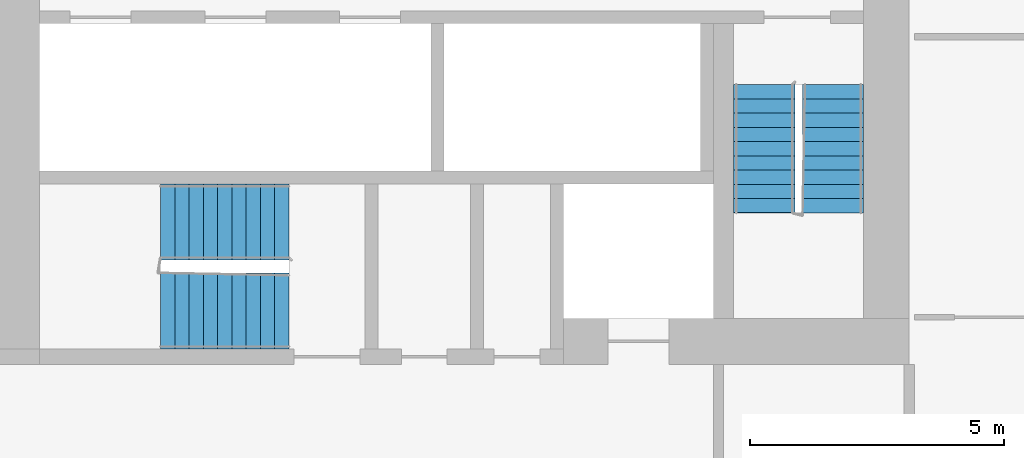
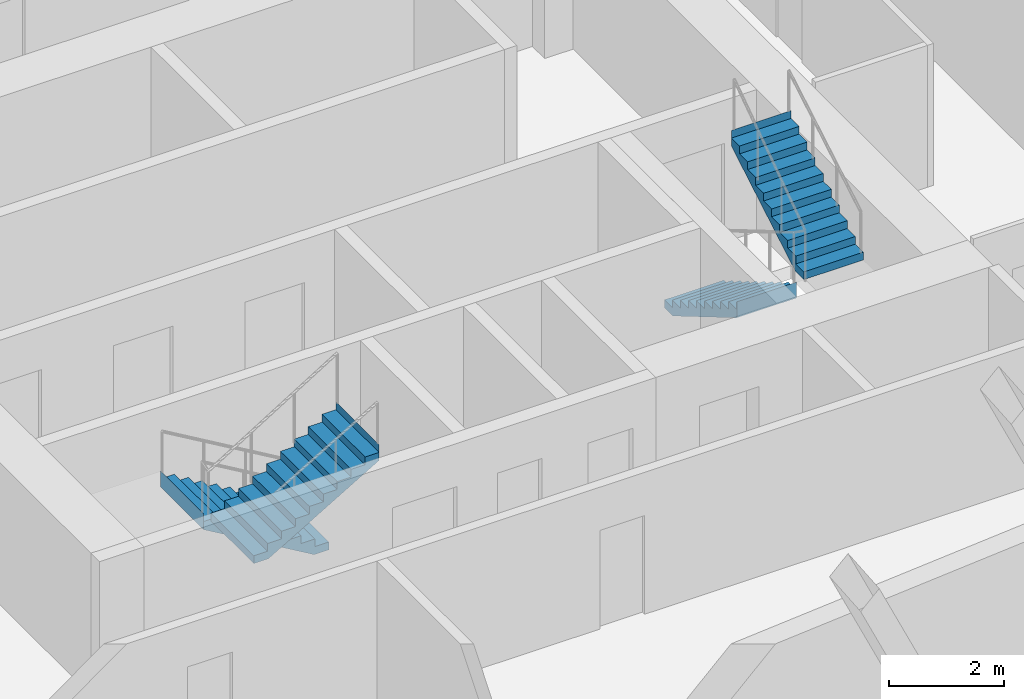
# One storey, part 9 of 13: 4 stair flights, 2 elements without a shape of their own.
"""IFC4 building model written with IfcOpenShell, lengths in metres."""

from ifc_helpers import new_model, si_unit, direction, frame, origin, place, context, subcontext, project, spatial, faceted_brep, material, type_object, element, aggregate, save


model = new_model("IFC4")

# Units and contexts
model_context = context("Model", 3, precision=1e-05, world=origin(), true_north=direction((0.0, 1.0)))
body_context = subcontext(model_context, "Body", "Model", "MODEL_VIEW")
ifc_project = project(units=[si_unit("LENGTHUNIT", "METRE"), si_unit("AREAUNIT", "SQUARE_METRE"), si_unit("VOLUMEUNIT", "CUBIC_METRE"), si_unit("PLANEANGLEUNIT", "RADIAN"), si_unit("MASSUNIT", "GRAM", prefix="KILO")], contexts=[model_context])

# Site, building, storey
site_placement = place(None, origin())
site = spatial("IfcSite", under=ifc_project, at=site_placement, CompositionType="ELEMENT")
building_placement = place(site_placement, origin())
building = spatial("IfcBuilding", under=site, at=building_placement, Name="Kajstack Hotel Tower", CompositionType="ELEMENT")
storey_placement = place(building_placement, frame((0.0, 0.0, 130.60009765625)))
storey = spatial("IfcBuildingStorey", under=building, at=storey_placement, Name="L29", CompositionType="ELEMENT", Elevation=130.60009765625)

# Stair, stair flights
ifc_material = material(Name="Concrete C40/50", Category="concrete")
stair_type_1 = type_object("IfcStairType", Name="Exit stair 1200", PredefinedType="HALF_TURN_STAIR", material=ifc_material)
stair_1_placement = place(storey_placement, origin())
stair_1 = element("IfcStair", 1, at=stair_1_placement, inside=storey, type_object=stair_type_1, Name="L29 stair W2", PredefinedType="HALF_TURN_STAIR")
stair_flight_type_1 = type_object("IfcStairFlightType", Name="Exit stair flight 1200", PredefinedType="STRAIGHT", material=ifc_material)
stair_flight_1_placement = place(storey_placement, frame((-16.35009765625, -10.0, 0.0), z_axis=(0.0, 0.0, 1.0), x_axis=(0.0, -1.0, 0.0)))
stair_flight_1 = element("IfcStairFlight", 2, at=stair_flight_1_placement, type_object=stair_flight_type_1, Name="W2 flight 1", NumberOfRisers=10, NumberOfTreads=9, PredefinedType="STRAIGHT", RiserHeight=0.165, TreadLength=0.28, context=body_context, shape_type="Brep", body=[
    faceted_brep([(0.295654296875, -0.60009765625, 0.0), (2.5205078125, -0.60009765625, 1.31103515625), (2.5205078125, -0.60009765625, 1.64990234375), (2.52001953125, -0.60009765625, 1.64990234375), (2.52001953125, -0.60009765625, 1.485107421875), (2.239990234375, -0.60009765625, 1.485107421875), (2.239990234375, -0.60009765625, 1.320068359375), (1.9599609375, -0.60009765625, 1.320068359375), (1.9599609375, -0.60009765625, 1.155029296875), (1.679931640625, -0.60009765625, 1.155029296875), (1.679931640625, -0.60009765625, 0.989990234375), (1.39990234375, -0.60009765625, 0.989990234375), (1.39990234375, -0.60009765625, 0.824951171875), (1.1201171875, -0.60009765625, 0.824951171875), (1.1201171875, -0.60009765625, 0.659912109375), (0.840087890625, -0.60009765625, 0.659912109375), (0.840087890625, -0.60009765625, 0.4951171875), (0.56005859375, -0.60009765625, 0.4951171875), (0.56005859375, -0.60009765625, 0.330078125), (0.280029296875, -0.60009765625, 0.330078125), (0.280029296875, -0.60009765625, 0.1650390625), (-0.00048828125, -0.60009765625, 0.1650390625), (-0.00048828125, -0.60009765625, 0.0), (-0.00048828125, 0.60009765625, 0.0), (-0.00048828125, 0.60009765625, 0.1650390625), (0.280029296875, 0.60009765625, 0.1650390625), (0.280029296875, 0.60009765625, 0.330078125), (0.56005859375, 0.60009765625, 0.330078125), (0.56005859375, 0.60009765625, 0.4951171875), (0.840087890625, 0.60009765625, 0.4951171875), (0.840087890625, 0.60009765625, 0.659912109375), (1.1201171875, 0.60009765625, 0.659912109375), (1.1201171875, 0.60009765625, 0.824951171875), (1.39990234375, 0.60009765625, 0.824951171875), (1.39990234375, 0.60009765625, 0.989990234375), (1.679931640625, 0.60009765625, 0.989990234375), (1.679931640625, 0.60009765625, 1.155029296875), (1.9599609375, 0.60009765625, 1.155029296875), (1.9599609375, 0.60009765625, 1.320068359375), (2.239990234375, 0.60009765625, 1.320068359375), (2.239990234375, 0.60009765625, 1.485107421875), (2.52001953125, 0.60009765625, 1.485107421875), (2.52001953125, 0.60009765625, 1.64990234375), (2.5205078125, 0.60009765625, 1.64990234375), (2.5205078125, 0.60009765625, 1.31103515625), (0.295654296875, 0.60009765625, 0.0), (-0.00048828125, -0.300048828125, 0.1650390625), (-0.00048828125, 0.0, 0.1650390625), (-0.00048828125, 0.300048828125, 0.1650390625), (-0.00048828125, 0.300048828125, 0.0), (-0.00048828125, 0.0, 0.0), (-0.00048828125, -0.300048828125, 0.0), (0.280029296875, -0.300048828125, 0.1650390625), (0.280029296875, 0.0, 0.1650390625), (0.280029296875, 0.300048828125, 0.1650390625), (0.280029296875, -0.300048828125, 0.330078125), (0.280029296875, 0.0, 0.330078125), (0.280029296875, 0.300048828125, 0.330078125), (0.56005859375, -0.300048828125, 0.330078125), (0.56005859375, 0.0, 0.330078125), (0.56005859375, 0.300048828125, 0.330078125), (0.56005859375, -0.300048828125, 0.4951171875), (0.56005859375, 0.0, 0.4951171875), (0.56005859375, 0.300048828125, 0.4951171875), (0.840087890625, -0.300048828125, 0.4951171875), (0.840087890625, 0.0, 0.4951171875), (0.840087890625, 0.300048828125, 0.4951171875), (0.840087890625, -0.300048828125, 0.659912109375), (0.840087890625, 0.0, 0.659912109375), (0.840087890625, 0.300048828125, 0.659912109375), (1.1201171875, -0.300048828125, 0.659912109375), (1.1201171875, 0.0, 0.659912109375), (1.1201171875, 0.300048828125, 0.659912109375), (1.1201171875, -0.300048828125, 0.824951171875), (1.1201171875, 0.0, 0.824951171875), (1.1201171875, 0.300048828125, 0.824951171875), (1.39990234375, -0.300048828125, 0.824951171875), (1.39990234375, 0.0, 0.824951171875), (1.39990234375, 0.300048828125, 0.824951171875), (1.39990234375, -0.300048828125, 0.989990234375), (1.39990234375, 0.0, 0.989990234375), (1.39990234375, 0.300048828125, 0.989990234375), (1.679931640625, -0.300048828125, 0.989990234375), (1.679931640625, 0.0, 0.989990234375), (1.679931640625, 0.300048828125, 0.989990234375), (1.679931640625, -0.300048828125, 1.155029296875), (1.679931640625, 0.0, 1.155029296875), (1.679931640625, 0.300048828125, 1.155029296875), (1.9599609375, -0.300048828125, 1.155029296875), (1.9599609375, 0.0, 1.155029296875), (1.9599609375, 0.300048828125, 1.155029296875), (1.9599609375, -0.300048828125, 1.320068359375), (1.9599609375, 0.0, 1.320068359375), (1.9599609375, 0.300048828125, 1.320068359375), (2.239990234375, -0.300048828125, 1.320068359375), (2.239990234375, 0.0, 1.320068359375), (2.239990234375, 0.300048828125, 1.320068359375), (2.239990234375, -0.300048828125, 1.485107421875), (2.239990234375, 0.0, 1.485107421875), (2.239990234375, 0.300048828125, 1.485107421875), (2.52001953125, -0.300048828125, 1.485107421875), (2.52001953125, 0.0, 1.485107421875), (2.52001953125, 0.300048828125, 1.485107421875), (2.52001953125, -0.300048828125, 1.64990234375), (2.52001953125, 0.0, 1.64990234375), (2.52001953125, 0.300048828125, 1.64990234375), (2.5205078125, -0.300048828125, 1.64990234375), (2.5205078125, 0.0, 1.64990234375), (2.5205078125, 0.300048828125, 1.64990234375), (2.5205078125, -0.300048828125, 1.31103515625), (2.5205078125, 0.0, 1.31103515625), (2.5205078125, 0.300048828125, 1.31103515625), (0.295654296875, -0.300048828125, 0.0), (0.295654296875, 0.0, 0.0), (0.295654296875, 0.300048828125, 0.0)], [[[0, 1, 2, 3, 4, 5, 6, 7, 8, 9, 10, 11, 12, 13, 14, 15, 16, 17, 18, 19, 20, 21, 22]], [[23, 24, 25, 26, 27, 28, 29, 30, 31, 32, 33, 34, 35, 36, 37, 38, 39, 40, 41, 42, 43, 44, 45]], [[21, 46, 47, 48, 24, 23, 49, 50, 51, 22]], [[20, 52, 53, 54, 25, 24, 48, 47, 46, 21]], [[19, 55, 56, 57, 26, 25, 54, 53, 52, 20]], [[18, 58, 59, 60, 27, 26, 57, 56, 55, 19]], [[17, 61, 62, 63, 28, 27, 60, 59, 58, 18]], [[16, 64, 65, 66, 29, 28, 63, 62, 61, 17]], [[15, 67, 68, 69, 30, 29, 66, 65, 64, 16]], [[14, 70, 71, 72, 31, 30, 69, 68, 67, 15]], [[13, 73, 74, 75, 32, 31, 72, 71, 70, 14]], [[12, 76, 77, 78, 33, 32, 75, 74, 73, 13]], [[11, 79, 80, 81, 34, 33, 78, 77, 76, 12]], [[10, 82, 83, 84, 35, 34, 81, 80, 79, 11]], [[9, 85, 86, 87, 36, 35, 84, 83, 82, 10]], [[8, 88, 89, 90, 37, 36, 87, 86, 85, 9]], [[7, 91, 92, 93, 38, 37, 90, 89, 88, 8]], [[6, 94, 95, 96, 39, 38, 93, 92, 91, 7]], [[5, 97, 98, 99, 40, 39, 96, 95, 94, 6]], [[4, 100, 101, 102, 41, 40, 99, 98, 97, 5]], [[3, 103, 104, 105, 42, 41, 102, 101, 100, 4]], [[2, 106, 107, 108, 43, 42, 105, 104, 103, 3]], [[1, 109, 110, 111, 44, 43, 108, 107, 106, 2]], [[0, 112, 113, 114, 45, 44, 111, 110, 109, 1]], [[22, 51, 50, 49, 23, 45, 114, 113, 112, 0]]]),
])
stair_flight_2_placement = place(storey_placement, frame((-15.0, -12.52001953125, 1.64990234375), z_axis=(0.0, 0.0, 1.0), x_axis=(0.0, 1.0, 0.0)))
stair_flight_2 = element("IfcStairFlight", 3, at=stair_flight_2_placement, type_object=stair_flight_type_1, Name="W2 flight 2", NumberOfRisers=10, NumberOfTreads=9, PredefinedType="STRAIGHT", RiserHeight=0.165, TreadLength=0.28, context=body_context, shape_type="Brep", body=[
    faceted_brep([(0.295654296875, -0.60009765625, 0.0), (2.5205078125, -0.60009765625, 1.31103515625), (2.5205078125, -0.60009765625, 1.64990234375), (2.52001953125, -0.60009765625, 1.64990234375), (2.52001953125, -0.60009765625, 1.485107421875), (2.239990234375, -0.60009765625, 1.485107421875), (2.239990234375, -0.60009765625, 1.320068359375), (1.9599609375, -0.60009765625, 1.320068359375), (1.9599609375, -0.60009765625, 1.155029296875), (1.679931640625, -0.60009765625, 1.155029296875), (1.679931640625, -0.60009765625, 0.989990234375), (1.39990234375, -0.60009765625, 0.989990234375), (1.39990234375, -0.60009765625, 0.824951171875), (1.1201171875, -0.60009765625, 0.824951171875), (1.1201171875, -0.60009765625, 0.659912109375), (0.840087890625, -0.60009765625, 0.659912109375), (0.840087890625, -0.60009765625, 0.4951171875), (0.56005859375, -0.60009765625, 0.4951171875), (0.56005859375, -0.60009765625, 0.330078125), (0.280029296875, -0.60009765625, 0.330078125), (0.280029296875, -0.60009765625, 0.1650390625), (-0.00048828125, -0.60009765625, 0.1650390625), (-0.00048828125, -0.60009765625, 0.0), (-0.00048828125, 0.60009765625, 0.0), (-0.00048828125, 0.60009765625, 0.1650390625), (0.280029296875, 0.60009765625, 0.1650390625), (0.280029296875, 0.60009765625, 0.330078125), (0.56005859375, 0.60009765625, 0.330078125), (0.56005859375, 0.60009765625, 0.4951171875), (0.840087890625, 0.60009765625, 0.4951171875), (0.840087890625, 0.60009765625, 0.659912109375), (1.1201171875, 0.60009765625, 0.659912109375), (1.1201171875, 0.60009765625, 0.824951171875), (1.39990234375, 0.60009765625, 0.824951171875), (1.39990234375, 0.60009765625, 0.989990234375), (1.679931640625, 0.60009765625, 0.989990234375), (1.679931640625, 0.60009765625, 1.155029296875), (1.9599609375, 0.60009765625, 1.155029296875), (1.9599609375, 0.60009765625, 1.320068359375), (2.239990234375, 0.60009765625, 1.320068359375), (2.239990234375, 0.60009765625, 1.485107421875), (2.52001953125, 0.60009765625, 1.485107421875), (2.52001953125, 0.60009765625, 1.64990234375), (2.5205078125, 0.60009765625, 1.64990234375), (2.5205078125, 0.60009765625, 1.31103515625), (0.295654296875, 0.60009765625, 0.0), (-0.00048828125, -0.300048828125, 0.1650390625), (-0.00048828125, 0.0, 0.1650390625), (-0.00048828125, 0.300048828125, 0.1650390625), (-0.00048828125, 0.300048828125, 0.0), (-0.00048828125, 0.0, 0.0), (-0.00048828125, -0.300048828125, 0.0), (0.280029296875, -0.300048828125, 0.1650390625), (0.280029296875, 0.0, 0.1650390625), (0.280029296875, 0.300048828125, 0.1650390625), (0.280029296875, -0.300048828125, 0.330078125), (0.280029296875, 0.0, 0.330078125), (0.280029296875, 0.300048828125, 0.330078125), (0.56005859375, -0.300048828125, 0.330078125), (0.56005859375, 0.0, 0.330078125), (0.56005859375, 0.300048828125, 0.330078125), (0.56005859375, -0.300048828125, 0.4951171875), (0.56005859375, 0.0, 0.4951171875), (0.56005859375, 0.300048828125, 0.4951171875), (0.840087890625, -0.300048828125, 0.4951171875), (0.840087890625, 0.0, 0.4951171875), (0.840087890625, 0.300048828125, 0.4951171875), (0.840087890625, -0.300048828125, 0.659912109375), (0.840087890625, 0.0, 0.659912109375), (0.840087890625, 0.300048828125, 0.659912109375), (1.1201171875, -0.300048828125, 0.659912109375), (1.1201171875, 0.0, 0.659912109375), (1.1201171875, 0.300048828125, 0.659912109375), (1.1201171875, -0.300048828125, 0.824951171875), (1.1201171875, 0.0, 0.824951171875), (1.1201171875, 0.300048828125, 0.824951171875), (1.39990234375, -0.300048828125, 0.824951171875), (1.39990234375, 0.0, 0.824951171875), (1.39990234375, 0.300048828125, 0.824951171875), (1.39990234375, -0.300048828125, 0.989990234375), (1.39990234375, 0.0, 0.989990234375), (1.39990234375, 0.300048828125, 0.989990234375), (1.679931640625, -0.300048828125, 0.989990234375), (1.679931640625, 0.0, 0.989990234375), (1.679931640625, 0.300048828125, 0.989990234375), (1.679931640625, -0.300048828125, 1.155029296875), (1.679931640625, 0.0, 1.155029296875), (1.679931640625, 0.300048828125, 1.155029296875), (1.9599609375, -0.300048828125, 1.155029296875), (1.9599609375, 0.0, 1.155029296875), (1.9599609375, 0.300048828125, 1.155029296875), (1.9599609375, -0.300048828125, 1.320068359375), (1.9599609375, 0.0, 1.320068359375), (1.9599609375, 0.300048828125, 1.320068359375), (2.239990234375, -0.300048828125, 1.320068359375), (2.239990234375, 0.0, 1.320068359375), (2.239990234375, 0.300048828125, 1.320068359375), (2.239990234375, -0.300048828125, 1.485107421875), (2.239990234375, 0.0, 1.485107421875), (2.239990234375, 0.300048828125, 1.485107421875), (2.52001953125, -0.300048828125, 1.485107421875), (2.52001953125, 0.0, 1.485107421875), (2.52001953125, 0.300048828125, 1.485107421875), (2.52001953125, -0.300048828125, 1.64990234375), (2.52001953125, 0.0, 1.64990234375), (2.52001953125, 0.300048828125, 1.64990234375), (2.5205078125, -0.300048828125, 1.64990234375), (2.5205078125, 0.0, 1.64990234375), (2.5205078125, 0.300048828125, 1.64990234375), (2.5205078125, -0.300048828125, 1.31103515625), (2.5205078125, 0.0, 1.31103515625), (2.5205078125, 0.300048828125, 1.31103515625), (0.295654296875, -0.300048828125, 0.0), (0.295654296875, 0.0, 0.0), (0.295654296875, 0.300048828125, 0.0)], [[[0, 1, 2, 3, 4, 5, 6, 7, 8, 9, 10, 11, 12, 13, 14, 15, 16, 17, 18, 19, 20, 21, 22]], [[23, 24, 25, 26, 27, 28, 29, 30, 31, 32, 33, 34, 35, 36, 37, 38, 39, 40, 41, 42, 43, 44, 45]], [[21, 46, 47, 48, 24, 23, 49, 50, 51, 22]], [[20, 52, 53, 54, 25, 24, 48, 47, 46, 21]], [[19, 55, 56, 57, 26, 25, 54, 53, 52, 20]], [[18, 58, 59, 60, 27, 26, 57, 56, 55, 19]], [[17, 61, 62, 63, 28, 27, 60, 59, 58, 18]], [[16, 64, 65, 66, 29, 28, 63, 62, 61, 17]], [[15, 67, 68, 69, 30, 29, 66, 65, 64, 16]], [[14, 70, 71, 72, 31, 30, 69, 68, 67, 15]], [[13, 73, 74, 75, 32, 31, 72, 71, 70, 14]], [[12, 76, 77, 78, 33, 32, 75, 74, 73, 13]], [[11, 79, 80, 81, 34, 33, 78, 77, 76, 12]], [[10, 82, 83, 84, 35, 34, 81, 80, 79, 11]], [[9, 85, 86, 87, 36, 35, 84, 83, 82, 10]], [[8, 88, 89, 90, 37, 36, 87, 86, 85, 9]], [[7, 91, 92, 93, 38, 37, 90, 89, 88, 8]], [[6, 94, 95, 96, 39, 38, 93, 92, 91, 7]], [[5, 97, 98, 99, 40, 39, 96, 95, 94, 6]], [[4, 100, 101, 102, 41, 40, 99, 98, 97, 5]], [[3, 103, 104, 105, 42, 41, 102, 101, 100, 4]], [[2, 106, 107, 108, 43, 42, 105, 104, 103, 3]], [[1, 109, 110, 111, 44, 43, 108, 107, 106, 2]], [[0, 112, 113, 114, 45, 44, 111, 110, 109, 1]], [[22, 51, 50, 49, 23, 45, 114, 113, 112, 0]]]),
])
aggregate(stair_1, [stair_flight_1, stair_flight_2])

stair_type_2 = type_object("IfcStairType", Name="Exit stair 1500", PredefinedType="HALF_TURN_STAIR", material=ifc_material)
stair_2_placement = place(storey_placement, origin())
stair_2 = element("IfcStair", 4, at=stair_2_placement, inside=storey, type_object=stair_type_2, Name="L29 stair W3", PredefinedType="HALF_TURN_STAIR")
stair_flight_type_2 = type_object("IfcStairFlightType", Name="Exit stair flight 1500", PredefinedType="STRAIGHT", material=ifc_material)
stair_flight_3_placement = place(storey_placement, frame((-25.699951171875, -12.699951171875, 0.0), z_axis=(0.0, 0.0, 1.0), x_axis=(-1.0, 0.0, 0.0)))
stair_flight_3 = element("IfcStairFlight", 5, at=stair_flight_3_placement, type_object=stair_flight_type_2, Name="W3 flight 1", NumberOfRisers=10, NumberOfTreads=9, PredefinedType="STRAIGHT", RiserHeight=0.165, TreadLength=0.28, context=body_context, shape_type="Brep", body=[
    faceted_brep([(0.295654296875, -0.75, 0.0), (2.5205078125, -0.75, 1.31103515625), (2.5205078125, -0.75, 1.64990234375), (2.52001953125, -0.75, 1.64990234375), (2.52001953125, -0.75, 1.485107421875), (2.239990234375, -0.75, 1.485107421875), (2.239990234375, -0.75, 1.320068359375), (1.9599609375, -0.75, 1.320068359375), (1.9599609375, -0.75, 1.155029296875), (1.679931640625, -0.75, 1.155029296875), (1.679931640625, -0.75, 0.989990234375), (1.39990234375, -0.75, 0.989990234375), (1.39990234375, -0.75, 0.824951171875), (1.1201171875, -0.75, 0.824951171875), (1.1201171875, -0.75, 0.659912109375), (0.840087890625, -0.75, 0.659912109375), (0.840087890625, -0.75, 0.4951171875), (0.56005859375, -0.75, 0.4951171875), (0.56005859375, -0.75, 0.330078125), (0.280029296875, -0.75, 0.330078125), (0.280029296875, -0.75, 0.1650390625), (-0.00048828125, -0.75, 0.1650390625), (-0.00048828125, -0.75, 0.0), (-0.00048828125, 0.75, 0.0), (-0.00048828125, 0.75, 0.1650390625), (0.280029296875, 0.75, 0.1650390625), (0.280029296875, 0.75, 0.330078125), (0.56005859375, 0.75, 0.330078125), (0.56005859375, 0.75, 0.4951171875), (0.840087890625, 0.75, 0.4951171875), (0.840087890625, 0.75, 0.659912109375), (1.1201171875, 0.75, 0.659912109375), (1.1201171875, 0.75, 0.824951171875), (1.39990234375, 0.75, 0.824951171875), (1.39990234375, 0.75, 0.989990234375), (1.679931640625, 0.75, 0.989990234375), (1.679931640625, 0.75, 1.155029296875), (1.9599609375, 0.75, 1.155029296875), (1.9599609375, 0.75, 1.320068359375), (2.239990234375, 0.75, 1.320068359375), (2.239990234375, 0.75, 1.485107421875), (2.52001953125, 0.75, 1.485107421875), (2.52001953125, 0.75, 1.64990234375), (2.5205078125, 0.75, 1.64990234375), (2.5205078125, 0.75, 1.31103515625), (0.295654296875, 0.75, 0.0), (-0.00048828125, -0.375, 0.1650390625), (-0.00048828125, 0.0, 0.1650390625), (-0.00048828125, 0.375, 0.1650390625), (-0.00048828125, 0.375, 0.0), (-0.00048828125, 0.0, 0.0), (-0.00048828125, -0.375, 0.0), (0.280029296875, -0.375, 0.1650390625), (0.280029296875, 0.0, 0.1650390625), (0.280029296875, 0.375, 0.1650390625), (0.280029296875, -0.375, 0.330078125), (0.280029296875, 0.0, 0.330078125), (0.280029296875, 0.375, 0.330078125), (0.56005859375, -0.375, 0.330078125), (0.56005859375, 0.0, 0.330078125), (0.56005859375, 0.375, 0.330078125), (0.56005859375, -0.375, 0.4951171875), (0.56005859375, 0.0, 0.4951171875), (0.56005859375, 0.375, 0.4951171875), (0.840087890625, -0.375, 0.4951171875), (0.840087890625, 0.0, 0.4951171875), (0.840087890625, 0.375, 0.4951171875), (0.840087890625, -0.375, 0.659912109375), (0.840087890625, 0.0, 0.659912109375), (0.840087890625, 0.375, 0.659912109375), (1.1201171875, -0.375, 0.659912109375), (1.1201171875, 0.0, 0.659912109375), (1.1201171875, 0.375, 0.659912109375), (1.1201171875, -0.375, 0.824951171875), (1.1201171875, 0.0, 0.824951171875), (1.1201171875, 0.375, 0.824951171875), (1.39990234375, -0.375, 0.824951171875), (1.39990234375, 0.0, 0.824951171875), (1.39990234375, 0.375, 0.824951171875), (1.39990234375, -0.375, 0.989990234375), (1.39990234375, 0.0, 0.989990234375), (1.39990234375, 0.375, 0.989990234375), (1.679931640625, -0.375, 0.989990234375), (1.679931640625, 0.0, 0.989990234375), (1.679931640625, 0.375, 0.989990234375), (1.679931640625, -0.375, 1.155029296875), (1.679931640625, 0.0, 1.155029296875), (1.679931640625, 0.375, 1.155029296875), (1.9599609375, -0.375, 1.155029296875), (1.9599609375, 0.0, 1.155029296875), (1.9599609375, 0.375, 1.155029296875), (1.9599609375, -0.375, 1.320068359375), (1.9599609375, 0.0, 1.320068359375), (1.9599609375, 0.375, 1.320068359375), (2.239990234375, -0.375, 1.320068359375), (2.239990234375, 0.0, 1.320068359375), (2.239990234375, 0.375, 1.320068359375), (2.239990234375, -0.375, 1.485107421875), (2.239990234375, 0.0, 1.485107421875), (2.239990234375, 0.375, 1.485107421875), (2.52001953125, -0.375, 1.485107421875), (2.52001953125, 0.0, 1.485107421875), (2.52001953125, 0.375, 1.485107421875), (2.52001953125, -0.375, 1.64990234375), (2.52001953125, 0.0, 1.64990234375), (2.52001953125, 0.375, 1.64990234375), (2.5205078125, -0.375, 1.64990234375), (2.5205078125, 0.0, 1.64990234375), (2.5205078125, 0.375, 1.64990234375), (2.5205078125, -0.375, 1.31103515625), (2.5205078125, 0.0, 1.31103515625), (2.5205078125, 0.375, 1.31103515625), (0.295654296875, -0.375, 0.0), (0.295654296875, 0.0, 0.0), (0.295654296875, 0.375, 0.0)], [[[0, 1, 2, 3, 4, 5, 6, 7, 8, 9, 10, 11, 12, 13, 14, 15, 16, 17, 18, 19, 20, 21, 22]], [[23, 24, 25, 26, 27, 28, 29, 30, 31, 32, 33, 34, 35, 36, 37, 38, 39, 40, 41, 42, 43, 44, 45]], [[21, 46, 47, 48, 24, 23, 49, 50, 51, 22]], [[20, 52, 53, 54, 25, 24, 48, 47, 46, 21]], [[19, 55, 56, 57, 26, 25, 54, 53, 52, 20]], [[18, 58, 59, 60, 27, 26, 57, 56, 55, 19]], [[17, 61, 62, 63, 28, 27, 60, 59, 58, 18]], [[16, 64, 65, 66, 29, 28, 63, 62, 61, 17]], [[15, 67, 68, 69, 30, 29, 66, 65, 64, 16]], [[14, 70, 71, 72, 31, 30, 69, 68, 67, 15]], [[13, 73, 74, 75, 32, 31, 72, 71, 70, 14]], [[12, 76, 77, 78, 33, 32, 75, 74, 73, 13]], [[11, 79, 80, 81, 34, 33, 78, 77, 76, 12]], [[10, 82, 83, 84, 35, 34, 81, 80, 79, 11]], [[9, 85, 86, 87, 36, 35, 84, 83, 82, 10]], [[8, 88, 89, 90, 37, 36, 87, 86, 85, 9]], [[7, 91, 92, 93, 38, 37, 90, 89, 88, 8]], [[6, 94, 95, 96, 39, 38, 93, 92, 91, 7]], [[5, 97, 98, 99, 40, 39, 96, 95, 94, 6]], [[4, 100, 101, 102, 41, 40, 99, 98, 97, 5]], [[3, 103, 104, 105, 42, 41, 102, 101, 100, 4]], [[2, 106, 107, 108, 43, 42, 105, 104, 103, 3]], [[1, 109, 110, 111, 44, 43, 108, 107, 106, 2]], [[0, 112, 113, 114, 45, 44, 111, 110, 109, 1]], [[22, 51, 50, 49, 23, 45, 114, 113, 112, 0]]]),
])
stair_flight_4_placement = place(storey_placement, frame((-28.219970703125, -14.449951171875, 1.64990234375), z_axis=(0.0, 0.0, 1.0), x_axis=(1.0, 0.0, 0.0)))
stair_flight_4 = element("IfcStairFlight", 6, at=stair_flight_4_placement, type_object=stair_flight_type_2, Name="W3 flight 2", NumberOfRisers=10, NumberOfTreads=9, PredefinedType="STRAIGHT", RiserHeight=0.165, TreadLength=0.28, context=body_context, shape_type="Brep", body=[
    faceted_brep([(0.295654296875, -0.75, 0.0), (2.5205078125, -0.75, 1.31103515625), (2.5205078125, -0.75, 1.64990234375), (2.52001953125, -0.75, 1.64990234375), (2.52001953125, -0.75, 1.485107421875), (2.239990234375, -0.75, 1.485107421875), (2.239990234375, -0.75, 1.320068359375), (1.9599609375, -0.75, 1.320068359375), (1.9599609375, -0.75, 1.155029296875), (1.679931640625, -0.75, 1.155029296875), (1.679931640625, -0.75, 0.989990234375), (1.39990234375, -0.75, 0.989990234375), (1.39990234375, -0.75, 0.824951171875), (1.1201171875, -0.75, 0.824951171875), (1.1201171875, -0.75, 0.659912109375), (0.840087890625, -0.75, 0.659912109375), (0.840087890625, -0.75, 0.4951171875), (0.56005859375, -0.75, 0.4951171875), (0.56005859375, -0.75, 0.330078125), (0.280029296875, -0.75, 0.330078125), (0.280029296875, -0.75, 0.1650390625), (-0.00048828125, -0.75, 0.1650390625), (-0.00048828125, -0.75, 0.0), (-0.00048828125, 0.75, 0.0), (-0.00048828125, 0.75, 0.1650390625), (0.280029296875, 0.75, 0.1650390625), (0.280029296875, 0.75, 0.330078125), (0.56005859375, 0.75, 0.330078125), (0.56005859375, 0.75, 0.4951171875), (0.840087890625, 0.75, 0.4951171875), (0.840087890625, 0.75, 0.659912109375), (1.1201171875, 0.75, 0.659912109375), (1.1201171875, 0.75, 0.824951171875), (1.39990234375, 0.75, 0.824951171875), (1.39990234375, 0.75, 0.989990234375), (1.679931640625, 0.75, 0.989990234375), (1.679931640625, 0.75, 1.155029296875), (1.9599609375, 0.75, 1.155029296875), (1.9599609375, 0.75, 1.320068359375), (2.239990234375, 0.75, 1.320068359375), (2.239990234375, 0.75, 1.485107421875), (2.52001953125, 0.75, 1.485107421875), (2.52001953125, 0.75, 1.64990234375), (2.5205078125, 0.75, 1.64990234375), (2.5205078125, 0.75, 1.31103515625), (0.295654296875, 0.75, 0.0), (-0.00048828125, -0.375, 0.1650390625), (-0.00048828125, 0.0, 0.1650390625), (-0.00048828125, 0.375, 0.1650390625), (-0.00048828125, 0.375, 0.0), (-0.00048828125, 0.0, 0.0), (-0.00048828125, -0.375, 0.0), (0.280029296875, -0.375, 0.1650390625), (0.280029296875, 0.0, 0.1650390625), (0.280029296875, 0.375, 0.1650390625), (0.280029296875, -0.375, 0.330078125), (0.280029296875, 0.0, 0.330078125), (0.280029296875, 0.375, 0.330078125), (0.56005859375, -0.375, 0.330078125), (0.56005859375, 0.0, 0.330078125), (0.56005859375, 0.375, 0.330078125), (0.56005859375, -0.375, 0.4951171875), (0.56005859375, 0.0, 0.4951171875), (0.56005859375, 0.375, 0.4951171875), (0.840087890625, -0.375, 0.4951171875), (0.840087890625, 0.0, 0.4951171875), (0.840087890625, 0.375, 0.4951171875), (0.840087890625, -0.375, 0.659912109375), (0.840087890625, 0.0, 0.659912109375), (0.840087890625, 0.375, 0.659912109375), (1.1201171875, -0.375, 0.659912109375), (1.1201171875, 0.0, 0.659912109375), (1.1201171875, 0.375, 0.659912109375), (1.1201171875, -0.375, 0.824951171875), (1.1201171875, 0.0, 0.824951171875), (1.1201171875, 0.375, 0.824951171875), (1.39990234375, -0.375, 0.824951171875), (1.39990234375, 0.0, 0.824951171875), (1.39990234375, 0.375, 0.824951171875), (1.39990234375, -0.375, 0.989990234375), (1.39990234375, 0.0, 0.989990234375), (1.39990234375, 0.375, 0.989990234375), (1.679931640625, -0.375, 0.989990234375), (1.679931640625, 0.0, 0.989990234375), (1.679931640625, 0.375, 0.989990234375), (1.679931640625, -0.375, 1.155029296875), (1.679931640625, 0.0, 1.155029296875), (1.679931640625, 0.375, 1.155029296875), (1.9599609375, -0.375, 1.155029296875), (1.9599609375, 0.0, 1.155029296875), (1.9599609375, 0.375, 1.155029296875), (1.9599609375, -0.375, 1.320068359375), (1.9599609375, 0.0, 1.320068359375), (1.9599609375, 0.375, 1.320068359375), (2.239990234375, -0.375, 1.320068359375), (2.239990234375, 0.0, 1.320068359375), (2.239990234375, 0.375, 1.320068359375), (2.239990234375, -0.375, 1.485107421875), (2.239990234375, 0.0, 1.485107421875), (2.239990234375, 0.375, 1.485107421875), (2.52001953125, -0.375, 1.485107421875), (2.52001953125, 0.0, 1.485107421875), (2.52001953125, 0.375, 1.485107421875), (2.52001953125, -0.375, 1.64990234375), (2.52001953125, 0.0, 1.64990234375), (2.52001953125, 0.375, 1.64990234375), (2.5205078125, -0.375, 1.64990234375), (2.5205078125, 0.0, 1.64990234375), (2.5205078125, 0.375, 1.64990234375), (2.5205078125, -0.375, 1.31103515625), (2.5205078125, 0.0, 1.31103515625), (2.5205078125, 0.375, 1.31103515625), (0.295654296875, -0.375, 0.0), (0.295654296875, 0.0, 0.0), (0.295654296875, 0.375, 0.0)], [[[0, 1, 2, 3, 4, 5, 6, 7, 8, 9, 10, 11, 12, 13, 14, 15, 16, 17, 18, 19, 20, 21, 22]], [[23, 24, 25, 26, 27, 28, 29, 30, 31, 32, 33, 34, 35, 36, 37, 38, 39, 40, 41, 42, 43, 44, 45]], [[21, 46, 47, 48, 24, 23, 49, 50, 51, 22]], [[20, 52, 53, 54, 25, 24, 48, 47, 46, 21]], [[19, 55, 56, 57, 26, 25, 54, 53, 52, 20]], [[18, 58, 59, 60, 27, 26, 57, 56, 55, 19]], [[17, 61, 62, 63, 28, 27, 60, 59, 58, 18]], [[16, 64, 65, 66, 29, 28, 63, 62, 61, 17]], [[15, 67, 68, 69, 30, 29, 66, 65, 64, 16]], [[14, 70, 71, 72, 31, 30, 69, 68, 67, 15]], [[13, 73, 74, 75, 32, 31, 72, 71, 70, 14]], [[12, 76, 77, 78, 33, 32, 75, 74, 73, 13]], [[11, 79, 80, 81, 34, 33, 78, 77, 76, 12]], [[10, 82, 83, 84, 35, 34, 81, 80, 79, 11]], [[9, 85, 86, 87, 36, 35, 84, 83, 82, 10]], [[8, 88, 89, 90, 37, 36, 87, 86, 85, 9]], [[7, 91, 92, 93, 38, 37, 90, 89, 88, 8]], [[6, 94, 95, 96, 39, 38, 93, 92, 91, 7]], [[5, 97, 98, 99, 40, 39, 96, 95, 94, 6]], [[4, 100, 101, 102, 41, 40, 99, 98, 97, 5]], [[3, 103, 104, 105, 42, 41, 102, 101, 100, 4]], [[2, 106, 107, 108, 43, 42, 105, 104, 103, 3]], [[1, 109, 110, 111, 44, 43, 108, 107, 106, 2]], [[0, 112, 113, 114, 45, 44, 111, 110, 109, 1]], [[22, 51, 50, 49, 23, 45, 114, 113, 112, 0]]]),
])
aggregate(stair_2, [stair_flight_3, stair_flight_4])

save(model, "model.ifc")
